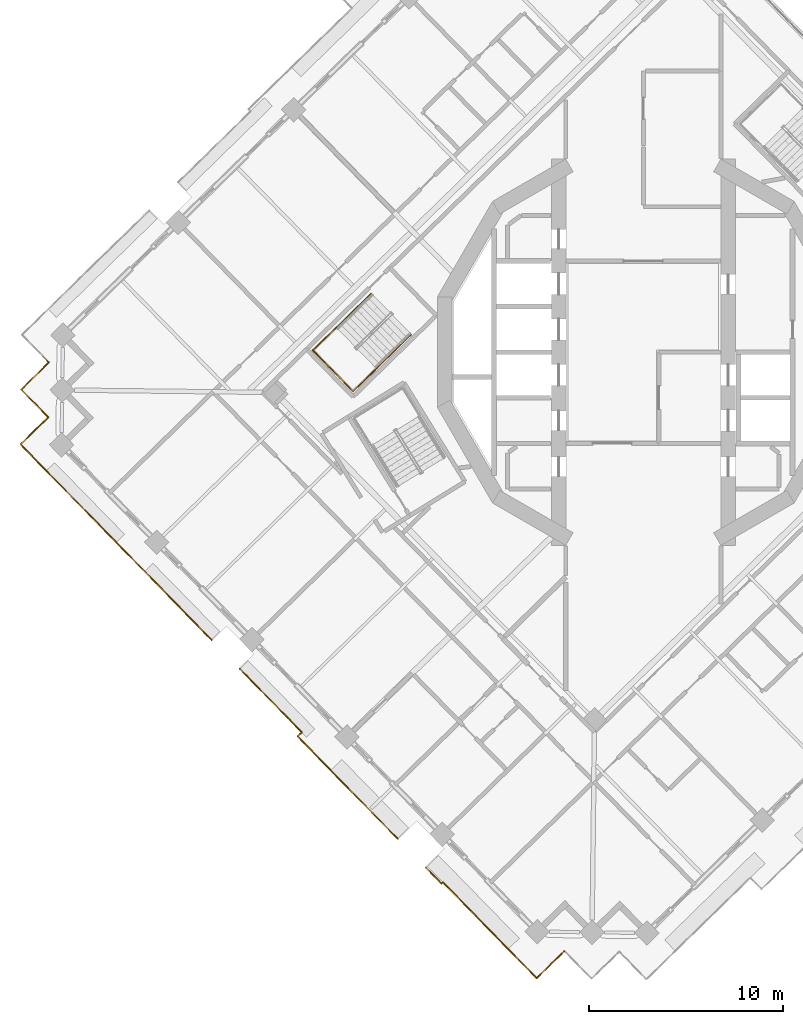
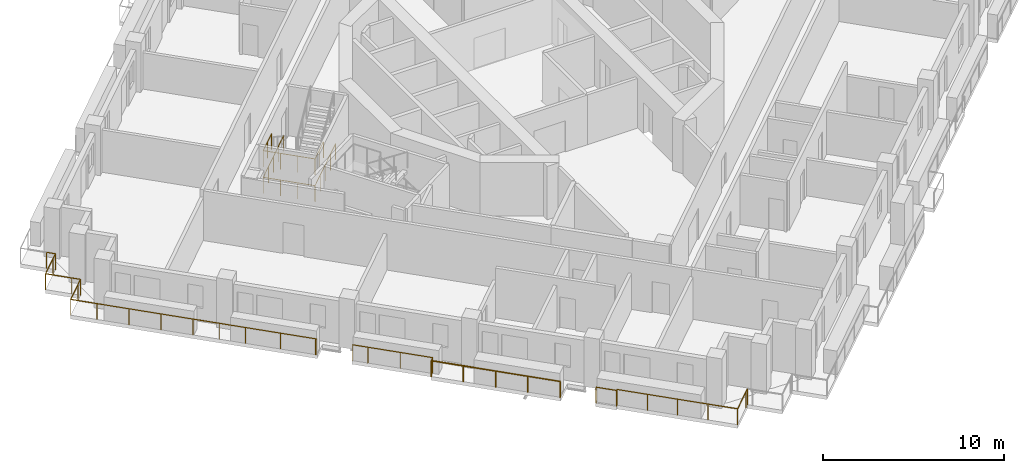
# One storey, part 15 of 20: 6 railings.
"""IFC4 building model written with IfcOpenShell, lengths in metres."""

from ifc_helpers import new_model, si_unit, direction, frame, origin, origin_2d, place, context, subcontext, project, spatial, circle, extrude, material, type_object, element, save


model = new_model("IFC4")

# Units and contexts
model_context = context("Model", 3, precision=1e-05, world=origin(), true_north=direction((0.0, 1.0)))
body_context = subcontext(model_context, "Body", "Model", "MODEL_VIEW")
ifc_project = project(units=[si_unit("LENGTHUNIT", "METRE"), si_unit("AREAUNIT", "SQUARE_METRE"), si_unit("VOLUMEUNIT", "CUBIC_METRE"), si_unit("PLANEANGLEUNIT", "RADIAN"), si_unit("MASSUNIT", "GRAM", prefix="KILO")], contexts=[model_context])

# Site, building, storey
site_placement = place(None, origin())
site = spatial("IfcSite", under=ifc_project, at=site_placement, CompositionType="ELEMENT")
building_placement = place(site_placement, origin())
building = spatial("IfcBuilding", under=site, at=building_placement, Name="Cantera Rosa Tower", CompositionType="ELEMENT")
storey_placement = place(building_placement, frame((0.0, 0.0, 209.0)))
storey = spatial("IfcBuildingStorey", under=building, at=storey_placement, Name="L44", CompositionType="ELEMENT", Elevation=209.0)

# Railings
ifc_material_1 = material(Name="Stainless steel and laminated glass", Category="steel")
railing_type_1 = type_object("IfcRailingType", Name="GUARD 1100", PredefinedType="BALUSTRADE", material=ifc_material_1)
railing_1_placement = place(storey_placement, frame((-17.837158203125, -19.81201171875, 0.0)))
element("IfcRailing", 1, at=railing_1_placement, inside=storey, type_object=railing_type_1, Name="GUARD L44-1", PredefinedType="BALUSTRADE", context=body_context, shape_type="SweptSolid", body=[
    extrude(circle(Radius=0.030029296875, at=origin_2d()), frame((0.0, 0.0, 1.070068359375), z_axis=(0.715095916043, 0.699026344896, 0.0), x_axis=(-0.699026344896, 0.715095916043, 0.0)), (0.0, 0.0, 1.0), 0.303955078125),
    extrude(circle(Radius=0.030029296875, at=origin_2d()), frame((0.21728515625, 0.21240234375, 1.070068359375), z_axis=(-0.698846639302, 0.715271539163, 0.0), x_axis=(-0.715271539163, -0.698846639302, 0.0)), (0.0, 0.0, 1.0), 3.716064453125),
    extrude(circle(Radius=0.030029296875, at=origin_2d()), frame((-2.379638671875, 2.870361328125, 1.070068359375), z_axis=(-0.698779602308, 0.715337030636, 0.0), x_axis=(-0.715337030636, -0.698779602308, 0.0)), (0.0, 0.0, 1.0), 0.869873046875),
    extrude(circle(Radius=0.02490234375, at=origin_2d()), origin(), (0.0, 0.0, 1.0), 1.0400390625),
    extrude(circle(Radius=0.02490234375, at=origin_2d()), frame((0.21728515625, 0.21240234375, 0.0)), (0.0, 0.0, 1.0), 1.0400390625),
    extrude(circle(Radius=0.02490234375, at=origin_2d()), frame((-1.0810546875, 1.54150390625, 0.0)), (0.0, 0.0, 1.0), 1.0400390625),
    extrude(circle(Radius=0.02490234375, at=origin_2d()), frame((-2.379638671875, 2.870361328125, 0.0)), (0.0, 0.0, 1.0), 1.0400390625),
    extrude(circle(Radius=0.02490234375, at=origin_2d()), frame((-2.987548828125, 3.49267578125, 0.0)), (0.0, 0.0, 1.0), 1.0400390625),
])
railing_2_placement = place(storey_placement, frame((-12.670166015625, -25.100830078125, 0.0)))
element("IfcRailing", 2, at=railing_2_placement, inside=storey, type_object=railing_type_1, Name="GUARD L44-2", PredefinedType="BALUSTRADE", context=body_context, shape_type="SweptSolid", body=[
    extrude(circle(Radius=0.030029296875, at=origin_2d()), frame((0.0, 0.0, 1.070068359375), z_axis=(-0.698820472892, 0.715297103774, 0.0), x_axis=(-0.715297103774, -0.698820472892, 0.0)), (0.0, 0.0, 1.0), 7.393798828125),
    extrude(circle(Radius=0.02490234375, at=origin_2d()), origin(), (0.0, 0.0, 1.0), 1.0400390625),
    extrude(circle(Radius=0.02490234375, at=origin_2d()), frame((-1.291748046875, 1.322265625, 0.0)), (0.0, 0.0, 1.0), 1.0400390625),
    extrude(circle(Radius=0.02490234375, at=origin_2d()), frame((-2.58349609375, 2.64453125, 0.0)), (0.0, 0.0, 1.0), 1.0400390625),
    extrude(circle(Radius=0.02490234375, at=origin_2d()), frame((-3.875244140625, 3.966552734375, 0.0)), (0.0, 0.0, 1.0), 1.0400390625),
    extrude(circle(Radius=0.02490234375, at=origin_2d()), frame((-5.1669921875, 5.288818359375, 0.0)), (0.0, 0.0, 1.0), 1.0400390625),
])
railing_3_placement = place(storey_placement, frame((-22.26416015625, -14.845703125, 0.0)))
element("IfcRailing", 3, at=railing_3_placement, inside=storey, type_object=railing_type_1, Name="GUARD L44-4", PredefinedType="BALUSTRADE", context=body_context, shape_type="SweptSolid", body=[
    extrude(circle(Radius=0.030029296875, at=origin_2d()), frame((0.0, 0.0, 1.070068359375), z_axis=(-0.700106234421, 0.714038696798, 0.0), x_axis=(-0.714038696798, -0.700106234421, 0.0)), (0.0, 0.0, 1.0), 0.070068359375),
    extrude(circle(Radius=0.030029296875, at=origin_2d()), frame((-0.049072265625, 0.050048828125, 1.070068359375), z_axis=(-0.698829866575, 0.715287926351, 0.0), x_axis=(-0.715287926351, -0.698829866575, 0.0)), (0.0, 0.0, 1.0), 4.02001953125),
    extrude(circle(Radius=0.030029296875, at=origin_2d()), frame((-2.8583984375, 2.925537109375, 1.070068359375), z_axis=(-0.698839281014, 0.715278728407, 0.0), x_axis=(-0.715278728407, -0.698839281014, 0.0)), (0.0, 0.0, 1.0), 3.0),
    extrude(circle(Radius=0.030029296875, at=origin_2d()), frame((-4.954833984375, 5.0712890625, 1.070068359375), z_axis=(-0.698810055914, 0.715307280652, 0.0), x_axis=(-0.715307280652, -0.698810055914, 0.0)), (0.0, 0.0, 1.0), 5.52001953125),
    extrude(circle(Radius=0.030029296875, at=origin_2d()), frame((-8.812255859375, 9.019775390625, 1.070068359375), z_axis=(-0.698921594874, 0.71519829713, 0.0), x_axis=(-0.71519829713, -0.698921594874, 0.0)), (0.0, 0.0, 1.0), 1.5),
    extrude(circle(Radius=0.030029296875, at=origin_2d()), frame((-9.860595703125, 10.092529296875, 1.070068359375), z_axis=(0.715277793538, 0.698840237873, 0.0), x_axis=(-0.698840237873, 0.715277793538, 0.0)), (0.0, 0.0, 1.0), 1.5),
    extrude(circle(Radius=0.030029296875, at=origin_2d()), frame((-8.78759765625, 11.140869140625, 1.070068359375), z_axis=(0.715359149995, 0.698756958118, 0.0), x_axis=(-0.698756958118, 0.715359149995, 0.0)), (0.0, 0.0, 1.0), 0.5),
    extrude(circle(Radius=0.030029296875, at=origin_2d()), frame((-8.429931640625, 11.490234375, 1.070068359375), z_axis=(-0.699006712162, 0.715115107065, 0.0), x_axis=(-0.715115107065, -0.699006712162, 0.0)), (0.0, 0.0, 1.0), 0.500244140625),
    extrude(circle(Radius=0.030029296875, at=origin_2d()), frame((-8.779541015625, 11.847900390625, 1.070068359375), z_axis=(-0.698756958118, 0.715359149995, 0.0), x_axis=(-0.715359149995, -0.698756958118, 0.0)), (0.0, 0.0, 1.0), 1.5),
    extrude(circle(Radius=0.030029296875, at=origin_2d()), frame((-9.82763671875, 12.9208984375, 1.070068359375), z_axis=(0.71519829713, 0.698921594874, 0.0), x_axis=(-0.698921594874, 0.71519829713, 0.0)), (0.0, 0.0, 1.0), 1.5),
    extrude(circle(Radius=0.030029296875, at=origin_2d()), frame((-8.7548828125, 13.96923828125, 1.070068359375), z_axis=(0.715359149995, 0.698756958118, 0.0), x_axis=(-0.698756958118, 0.715359149995, 0.0)), (0.0, 0.0, 1.0), 0.5),
    extrude(circle(Radius=0.030029296875, at=origin_2d()), frame((-8.397216796875, 14.318603515625, 1.070068359375), z_axis=(-0.698756958118, 0.715359149995, 0.0), x_axis=(-0.715359149995, -0.698756958118, 0.0)), (0.0, 0.0, 1.0), 0.5),
    extrude(circle(Radius=0.02490234375, at=origin_2d()), origin(), (0.0, 0.0, 1.0), 1.0400390625),
    extrude(circle(Radius=0.02490234375, at=origin_2d()), frame((-0.049072265625, 0.050048828125, 0.0)), (0.0, 0.0, 1.0), 1.0400390625),
    extrude(circle(Radius=0.02490234375, at=origin_2d()), frame((-1.45361328125, 1.48779296875, 0.0)), (0.0, 0.0, 1.0), 1.0400390625),
    extrude(circle(Radius=0.02490234375, at=origin_2d()), frame((-2.8583984375, 2.925537109375, 0.0)), (0.0, 0.0, 1.0), 1.0400390625),
    extrude(circle(Radius=0.02490234375, at=origin_2d()), frame((-3.90673828125, 3.99853515625, 0.0)), (0.0, 0.0, 1.0), 1.0400390625),
    extrude(circle(Radius=0.02490234375, at=origin_2d()), frame((-4.954833984375, 5.0712890625, 0.0)), (0.0, 0.0, 1.0), 1.0400390625),
    extrude(circle(Radius=0.02490234375, at=origin_2d()), frame((-6.24072265625, 6.387451171875, 0.0)), (0.0, 0.0, 1.0), 1.0400390625),
    extrude(circle(Radius=0.02490234375, at=origin_2d()), frame((-7.5263671875, 7.70361328125, 0.0)), (0.0, 0.0, 1.0), 1.0400390625),
    extrude(circle(Radius=0.02490234375, at=origin_2d()), frame((-8.812255859375, 9.019775390625, 0.0)), (0.0, 0.0, 1.0), 1.0400390625),
    extrude(circle(Radius=0.02490234375, at=origin_2d()), frame((-9.860595703125, 10.092529296875, 0.0)), (0.0, 0.0, 1.0), 1.0400390625),
    extrude(circle(Radius=0.02490234375, at=origin_2d()), frame((-8.78759765625, 11.140869140625, 0.0)), (0.0, 0.0, 1.0), 1.0400390625),
    extrude(circle(Radius=0.02490234375, at=origin_2d()), frame((-8.429931640625, 11.490234375, 0.0)), (0.0, 0.0, 1.0), 1.0400390625),
    extrude(circle(Radius=0.02490234375, at=origin_2d()), frame((-8.779541015625, 11.847900390625, 0.0)), (0.0, 0.0, 1.0), 1.0400390625),
    extrude(circle(Radius=0.02490234375, at=origin_2d()), frame((-9.82763671875, 12.9208984375, 0.0)), (0.0, 0.0, 1.0), 1.0400390625),
    extrude(circle(Radius=0.02490234375, at=origin_2d()), frame((-8.7548828125, 13.96923828125, 0.0)), (0.0, 0.0, 1.0), 1.0400390625),
    extrude(circle(Radius=0.02490234375, at=origin_2d()), frame((-8.397216796875, 14.318603515625, 0.0)), (0.0, 0.0, 1.0), 1.0400390625),
    extrude(circle(Radius=0.02490234375, at=origin_2d()), frame((-8.74658203125, 14.67626953125, 0.0)), (0.0, 0.0, 1.0), 1.0400390625),
])
railing_4_placement = place(storey_placement, frame((-4.072021484375, -30.890625, 0.0)))
element("IfcRailing", 4, at=railing_4_placement, inside=storey, type_object=railing_type_1, Name="GUARD L44-8", PredefinedType="BALUSTRADE", context=body_context, shape_type="SweptSolid", body=[
    extrude(circle(Radius=0.030029296875, at=origin_2d()), frame((0.0, 0.0, 1.070068359375), z_axis=(-0.715196445894, -0.698923489218, 0.0), x_axis=(0.698923489218, -0.715196445894, 0.0)), (0.0, 0.0, 1.0), 0.300048828125),
    extrude(circle(Radius=0.030029296875, at=origin_2d()), frame((-0.214599609375, -0.209716796875, 1.070068359375), z_axis=(-0.715316077832, -0.69880105094, 0.0), x_axis=(0.69880105094, -0.715316077832, 0.0)), (0.0, 0.0, 1.0), 1.699951171875),
    extrude(circle(Radius=0.030029296875, at=origin_2d()), frame((-1.4306640625, -1.397705078125, 1.070068359375), z_axis=(-0.69880105094, 0.715316077832, 0.0), x_axis=(-0.715316077832, -0.69880105094, 0.0)), (0.0, 0.0, 1.0), 1.699951171875),
    extrude(circle(Radius=0.030029296875, at=origin_2d()), frame((-2.61865234375, -0.181640625, 1.070068359375), z_axis=(-0.698820850974, 0.7152967344, 0.0), x_axis=(-0.7152967344, -0.698820850974, 0.0)), (0.0, 0.0, 1.0), 5.216064453125),
    extrude(circle(Radius=0.030029296875, at=origin_2d()), frame((-6.263671875, 3.54931640625, 1.070068359375), z_axis=(-0.715267124493, -0.698851157701, 0.0), x_axis=(0.698851157701, -0.715267124493, 0.0)), (0.0, 0.0, 1.0), 0.10400390625),
    extrude(circle(Radius=0.030029296875, at=origin_2d()), frame((-6.338134765625, 3.4765625, 1.070068359375), z_axis=(-0.698739523875, 0.715376179206, 0.0), x_axis=(-0.715376179206, -0.698739523875, 0.0)), (0.0, 0.0, 1.0), 1.174072265625),
    extrude(circle(Radius=0.02490234375, at=origin_2d()), origin(), (0.0, 0.0, 1.0), 1.0400390625),
    extrude(circle(Radius=0.02490234375, at=origin_2d()), frame((-0.214599609375, -0.209716796875, 0.0)), (0.0, 0.0, 1.0), 1.0400390625),
    extrude(circle(Radius=0.02490234375, at=origin_2d()), frame((-1.4306640625, -1.397705078125, 0.0)), (0.0, 0.0, 1.0), 1.0400390625),
    extrude(circle(Radius=0.02490234375, at=origin_2d()), frame((-2.61865234375, -0.181640625, 0.0)), (0.0, 0.0, 1.0), 1.0400390625),
    extrude(circle(Radius=0.02490234375, at=origin_2d()), frame((-3.833740234375, 1.06201171875, 0.0)), (0.0, 0.0, 1.0), 1.0400390625),
    extrude(circle(Radius=0.02490234375, at=origin_2d()), frame((-5.048583984375, 2.3056640625, 0.0)), (0.0, 0.0, 1.0), 1.0400390625),
    extrude(circle(Radius=0.02490234375, at=origin_2d()), frame((-6.263671875, 3.54931640625, 0.0)), (0.0, 0.0, 1.0), 1.0400390625),
    extrude(circle(Radius=0.02490234375, at=origin_2d()), frame((-6.338134765625, 3.4765625, 0.0)), (0.0, 0.0, 1.0), 1.0400390625),
    extrude(circle(Radius=0.02490234375, at=origin_2d()), frame((-7.158447265625, 4.31640625, 0.0)), (0.0, 0.0, 1.0), 1.0400390625),
])
ifc_material_2 = material(Name="Steel S355J2 (EN 10025-2)", Category="steel")
railing_type_2 = type_object("IfcRailingType", Name="STAIR GUARD 1100", PredefinedType="GUARDRAIL", material=ifc_material_2)
railing_5_placement = place(storey_placement, frame((-14.044921875, 3.0322265625, 0.0)))
element("IfcRailing", 5, at=railing_5_placement, inside=storey, type_object=railing_type_2, Name="L44 ST-43 stair guard 4", PredefinedType="GUARDRAIL", context=body_context, shape_type="SweptSolid", body=[
    extrude(circle(Radius=0.02392578125, at=origin_2d()), frame((0.0, 0.0, 1.076171875), z_axis=(-0.715259213566, -0.698859254364, 0.0), x_axis=(0.698859254364, -0.715259213566, 0.0)), (0.0, 0.0, 1.0), 4.197998046875),
    extrude(circle(Radius=0.02392578125, at=origin_2d()), frame((-3.002685546875, -2.933837890625, 1.076171875), z_axis=(0.698838333505, -0.715279654138, 0.0), x_axis=(0.715279654138, 0.698838333505, 0.0)), (0.0, 0.0, 1.0), 2.9697265625),
    extrude(circle(Radius=0.02392578125, at=origin_2d()), frame((-0.92724609375, -5.05810546875, 1.076171875), z_axis=(0.715288284249, 0.698829500247, 0.0), x_axis=(-0.698829500247, 0.715288284249, 0.0)), (0.0, 0.0, 1.0), 4.19775390625),
    extrude(circle(Radius=0.02099609375, at=origin_2d()), origin(), (0.0, 0.0, 1.0), 1.052001953125),
    extrude(circle(Radius=0.02099609375, at=origin_2d()), frame((-0.750732421875, -0.7333984375, 0.0)), (0.0, 0.0, 1.0), 1.052001953125),
    extrude(circle(Radius=0.02099609375, at=origin_2d()), frame((-1.50146484375, -1.466796875, 0.0)), (0.0, 0.0, 1.0), 1.052001953125),
    extrude(circle(Radius=0.02099609375, at=origin_2d()), frame((-2.251953125, -2.200439453125, 0.0)), (0.0, 0.0, 1.0), 1.052001953125),
    extrude(circle(Radius=0.02099609375, at=origin_2d()), frame((-3.002685546875, -2.933837890625, 0.0)), (0.0, 0.0, 1.0), 1.052001953125),
    extrude(circle(Radius=0.02099609375, at=origin_2d()), frame((-2.310791015625, -3.641845703125, 0.0)), (0.0, 0.0, 1.0), 1.052001953125),
    extrude(circle(Radius=0.02099609375, at=origin_2d()), frame((-1.619140625, -4.35009765625, 0.0)), (0.0, 0.0, 1.0), 1.052001953125),
    extrude(circle(Radius=0.02099609375, at=origin_2d()), frame((-0.92724609375, -5.05810546875, 0.0)), (0.0, 0.0, 1.0), 1.052001953125),
    extrude(circle(Radius=0.02099609375, at=origin_2d()), frame((-0.176513671875, -4.32470703125, 0.0)), (0.0, 0.0, 1.0), 1.052001953125),
    extrude(circle(Radius=0.02099609375, at=origin_2d()), frame((0.57421875, -3.59130859375, 0.0)), (0.0, 0.0, 1.0), 1.052001953125),
    extrude(circle(Radius=0.02099609375, at=origin_2d()), frame((1.32470703125, -2.85791015625, 0.0)), (0.0, 0.0, 1.0), 1.052001953125),
    extrude(circle(Radius=0.02099609375, at=origin_2d()), frame((2.075439453125, -2.12451171875, 0.0)), (0.0, 0.0, 1.0), 1.052001953125),
])
railing_6_placement = place(storey_placement, frame((-15.830322265625, 1.287841796875, 1.800048828125)))
element("IfcRailing", 6, at=railing_6_placement, inside=storey, type_object=railing_type_2, Name="L44 ST-43 stair guard 5", PredefinedType="GUARDRAIL", context=body_context, shape_type="SweptSolid", body=[
    extrude(circle(Radius=0.02392578125, at=origin_2d()), frame((0.0, 0.0, 1.076171875), z_axis=(-0.715236090757, -0.698882919007, 0.0), x_axis=(0.698882919007, -0.715236090757, 0.0)), (0.0, 0.0, 1.0), 1.701904296875),
    extrude(circle(Radius=0.02392578125, at=origin_2d()), frame((-1.21728515625, -1.189453125, 1.076171875), z_axis=(0.698838333505, -0.715279654138, 0.0), x_axis=(0.715279654138, 0.698838333505, 0.0)), (0.0, 0.0, 1.0), 2.9697265625),
    extrude(circle(Radius=0.02392578125, at=origin_2d()), frame((0.858154296875, -3.313720703125, 1.076171875), z_axis=(0.715236090757, 0.698882919007, 0.0), x_axis=(-0.698882919007, 0.715236090757, 0.0)), (0.0, 0.0, 1.0), 1.701904296875),
    extrude(circle(Radius=0.02099609375, at=origin_2d()), origin(), (0.0, 0.0, 1.0), 1.052001953125),
    extrude(circle(Radius=0.02099609375, at=origin_2d()), frame((-0.608642578125, -0.5947265625, 0.0)), (0.0, 0.0, 1.0), 1.052001953125),
    extrude(circle(Radius=0.02099609375, at=origin_2d()), frame((-1.21728515625, -1.189453125, 0.0)), (0.0, 0.0, 1.0), 1.052001953125),
    extrude(circle(Radius=0.02099609375, at=origin_2d()), frame((-0.525390625, -1.8974609375, 0.0)), (0.0, 0.0, 1.0), 1.052001953125),
    extrude(circle(Radius=0.02099609375, at=origin_2d()), frame((0.166259765625, -2.605712890625, 0.0)), (0.0, 0.0, 1.0), 1.052001953125),
    extrude(circle(Radius=0.02099609375, at=origin_2d()), frame((0.858154296875, -3.313720703125, 0.0)), (0.0, 0.0, 1.0), 1.052001953125),
    extrude(circle(Radius=0.02099609375, at=origin_2d()), frame((1.466796875, -2.718994140625, 0.0)), (0.0, 0.0, 1.0), 1.052001953125),
    extrude(circle(Radius=0.02099609375, at=origin_2d()), frame((2.075439453125, -2.124267578125, 0.0)), (0.0, 0.0, 1.0), 1.052001953125),
])

save(model, "model.ifc")
